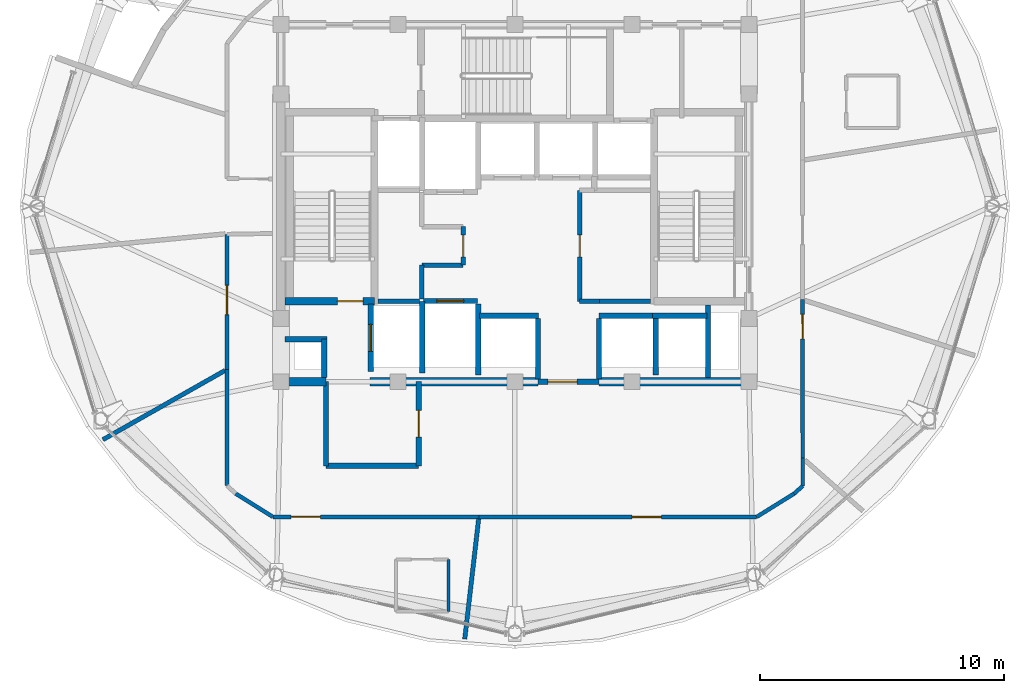
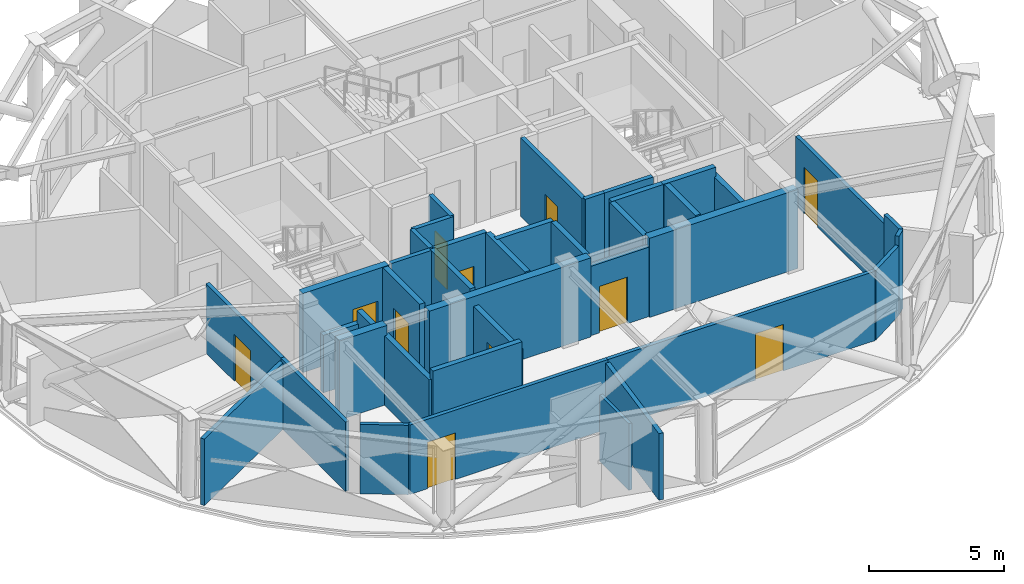
# One storey, part 8 of 15: 40 walls, 11 doors, 11 openings.
"""IFC4 building model written with IfcOpenShell, lengths in metres."""

from ifc_helpers import new_model, si_unit, direction, frame, frame_2d, origin, place, context, subcontext, project, spatial, rectangle, extrude, material, layer, layer_set, type_object, element, fill, save


model = new_model("IFC4")

# Units and contexts
model_context = context("Model", 3, precision=1e-05, world=origin(), true_north=direction((0.0, 1.0)))
body_context = subcontext(model_context, "Body", "Model", "MODEL_VIEW")
ifc_project = project(units=[si_unit("LENGTHUNIT", "METRE"), si_unit("AREAUNIT", "SQUARE_METRE"), si_unit("VOLUMEUNIT", "CUBIC_METRE"), si_unit("PLANEANGLEUNIT", "RADIAN"), si_unit("MASSUNIT", "GRAM", prefix="KILO")], contexts=[model_context])

# Site, building, storey
site_placement = place(None, origin())
site = spatial("IfcSite", under=ifc_project, at=site_placement, CompositionType="ELEMENT")
building_placement = place(site_placement, origin())
building = spatial("IfcBuilding", under=site, at=building_placement, Name="Vantalir Tower", CompositionType="ELEMENT")
storey_placement = place(building_placement, frame((0.0, 0.0, 275.10009765625)))
storey = spatial("IfcBuildingStorey", under=building, at=storey_placement, Name="L69", CompositionType="ELEMENT", Elevation=275.10009765625)

# Walls
ifc_material_1 = material(Name="Moisture-resistant en-suite partition", Category="gypsum")
ifc_layer_1 = layer(ifc_material_1, 0.125)
ifc_layer_set_1 = layer_set([ifc_layer_1], Name="Moisture-resistant en-suite partition")
wall_type_1 = type_object("IfcWallType", Name="WL-BATH-125", PredefinedType="PARTITIONING", material=ifc_layer_set_1)
wall_1_placement = place(storey_placement, frame((28.77587890625, 8.364990234375, 0.0), z_axis=(0.0, 0.0, 1.0), x_axis=(0.0, 1.0, 0.0)))
element("IfcWall", 1, at=wall_1_placement, inside=storey, type_object=wall_type_1, Name="L69 En-suite 06 East Wall", PredefinedType="PARTITIONING", context=body_context, shape_type="SweptSolid", body=[
    extrude(rectangle(XDim=2.14990234375, YDim=0.125, at=frame_2d((1.074951171875, 0.0))), origin(), (0.0, 0.0, 1.0), 3.0029296875),
])
ifc_material_2 = material(Name="Concrete C50/60", Category="concrete")
ifc_layer_2 = layer(ifc_material_2, 0.35009765625)
ifc_layer_set_2 = layer_set([ifc_layer_2], Name="Concrete C50/60")
wall_type_2 = type_object("IfcWallType", Name="WL-CORE-350", PredefinedType="SHEAR", material=ifc_layer_set_2)
wall_2_placement = place(storey_placement, frame((21.72509765625, 17.800048828125, 0.0), z_axis=(0.0, 0.0, 1.0), x_axis=(1.0, 0.0, 0.0)))
element("IfcWall", 2, at=wall_2_placement, inside=storey, type_object=wall_type_2, Name="L69 Core Shear Wall South-West", PredefinedType="SHEAR", context=body_context, shape_type="SweptSolid", body=[
    extrude(rectangle(XDim=2.02490234375, YDim=0.35009765625, at=frame_2d((1.012451171875, 0.0))), origin(), (0.0, 0.0, 1.0), 3.56982421875),
])
wall_3_placement = place(storey_placement, frame((25.550048828125, 17.800048828125, 0.0), z_axis=(0.0, 0.0, 1.0), x_axis=(1.0, 0.0, 0.0)))
element("IfcWall", 3, at=wall_3_placement, inside=storey, type_object=wall_type_2, Name="L69 Core Shear Wall South-Mid", PredefinedType="SHEAR", context=body_context, shape_type="SweptSolid", body=[
    extrude(rectangle(XDim=6.89990234375, YDim=0.35009765625, at=frame_2d((3.449951171875, 0.0))), origin(), (0.0, 0.0, 1.0), 3.56982421875),
])
wall_4_placement = place(storey_placement, frame((34.949951171875, 17.800048828125, 0.0), z_axis=(0.0, 0.0, 1.0), x_axis=(1.0, 0.0, 0.0)))
element("IfcWall", 4, at=wall_4_placement, inside=storey, type_object=wall_type_2, Name="L69 Core Shear Wall South-East", PredefinedType="SHEAR", context=body_context, shape_type="SweptSolid", body=[
    extrude(rectangle(XDim=6.324951171875, YDim=0.35009765625, at=frame_2d((3.16259765625, 0.0))), origin(), (0.0, 0.0, 1.0), 3.56982421875),
])

# Wall, opening, door
ifc_material_3 = material(Name="Fire-rated hotel corridor acoustic partition", Category="gypsum")
ifc_layer_3 = layer(ifc_material_3, 0.159912109375)
ifc_layer_set_3 = layer_set([ifc_layer_3], Name="Fire-rated hotel corridor acoustic partition")
wall_type_3 = type_object("IfcWallType", Name="WL-CORR-160", PredefinedType="PARTITIONING", material=ifc_layer_set_3)
wall_5_placement = place(storey_placement, frame((43.302978515625, 21.16796875, 0.0), z_axis=(0.0, 0.0, 1.0), x_axis=(0.000787903556, -0.999999689604, 0.0)))
wall_5 = element("IfcWall", 5, at=wall_5_placement, inside=storey, type_object=wall_type_3, Name="L69 Corridor Partition 12", PredefinedType="PARTITIONING", context=body_context, shape_type="SweptSolid", body=[
    extrude(rectangle(XDim=6.507080078125, YDim=0.159912109375, at=frame_2d((3.25341796875, 0.0))), origin(), (0.0, 0.0, 1.0), 3.1318359375),
])
opening_1_placement = place(wall_5_placement, frame((0.60498046875, 0.0, 0.0)))
opening_1 = element("IfcOpeningElement", 6, at=opening_1_placement, cuts=wall_5, Name="Opening D-GUEST", PredefinedType="OPENING", context=body_context, shape_type="SweptSolid", body=[
    extrude(rectangle(XDim=1.0, YDim=2.10009765625, at=frame_2d((0.5, 1.050048828125))), frame((0.0, 0.08984375, 0.0), z_axis=(0.0, -1.0, 0.0), x_axis=(1.0, 0.0, 0.0)), (0.0, 0.0, 1.0), 0.179931640625),
])
ifc_material_4 = material(Name="Solid-core teak veneer acoustic fire door", Category="wood")
door_type_1 = type_object("IfcDoorType", Name="DR-GUEST-ENTRY-1000", OperationType="NOTDEFINED", PredefinedType="DOOR", material=ifc_material_4)
door_1_placement = place(opening_1_placement, origin())
door_1 = element("IfcDoor", 7, at=door_1_placement, inside=storey, type_object=door_type_1, Name="L69 Executive Business Study 08 Door", OperationType="SINGLE_SWING_RIGHT", OverallHeight=2.10009765625, OverallWidth=1.0, PredefinedType="DOOR", context=body_context, shape_type="SweptSolid", body=[
    extrude(rectangle(XDim=1.0, YDim=2.10009765625, at=frame_2d((0.5, 1.050048828125))), frame((0.0, 0.02490234375, 0.0), z_axis=(0.0, -1.0, 0.0), x_axis=(1.0, 0.0, 0.0)), (0.0, 0.0, 1.0), 0.050048828125),
])
fill(opening_1, door_1)

# Walls
wall_6_placement = place(storey_placement, frame((43.30810546875, 14.660888671875, 0.0), z_axis=(0.0, 0.0, 1.0), x_axis=(0.000860399768, -0.999999629856, 0.0)))
element("IfcWall", 8, at=wall_6_placement, inside=storey, type_object=wall_type_3, Name="L69 Corridor Partition 13", PredefinedType="PARTITIONING", context=body_context, shape_type="SweptSolid", body=[
    extrude(rectangle(XDim=1.135009765625, YDim=0.159912109375, at=frame_2d((0.5673828125, 0.0))), origin(), (0.0, 0.0, 1.0), 3.5498046875),
])
wall_7_placement = place(storey_placement, frame((43.30908203125, 13.52587890625, 0.0), z_axis=(0.0, 0.0, 1.0), x_axis=(-0.74518739818, -0.666855112894, 0.0)))
element("IfcWall", 9, at=wall_7_placement, inside=storey, type_object=wall_type_3, Name="L69 Corridor Partition 14", PredefinedType="PARTITIONING", context=body_context, shape_type="SweptSolid", body=[
    extrude(rectangle(XDim=0.4736328125, YDim=0.159912109375, at=frame_2d((0.23681640625, 0.0))), origin(), (0.0, 0.0, 1.0), 3.5498046875),
])
wall_8_placement = place(storey_placement, frame((42.9560546875, 13.2099609375, 0.0), z_axis=(0.0, 0.0, 1.0), x_axis=(-0.84908338632, -0.528258840982, 0.0)))
element("IfcWall", 10, at=wall_8_placement, inside=storey, type_object=wall_type_3, Name="L69 Corridor Partition 15", PredefinedType="PARTITIONING", context=body_context, shape_type="SweptSolid", body=[
    extrude(rectangle(XDim=1.817138671875, YDim=0.159912109375, at=frame_2d((0.90869140625, 0.0))), origin(), (0.0, 0.0, 1.0), 3.1318359375),
])

# Wall, opening, door
wall_9_placement = place(storey_placement, frame((41.4130859375, 12.25, 0.0), z_axis=(0.0, 0.0, 1.0), x_axis=(-0.999999941203, 0.000342920808, 0.0)))
wall_9 = element("IfcWall", 11, at=wall_9_placement, inside=storey, type_object=wall_type_3, Name="L69 Corridor Partition 16", PredefinedType="PARTITIONING", context=body_context, shape_type="SweptSolid", body=[
    extrude(rectangle(XDim=11.39111328125, YDim=0.159912109375, at=frame_2d((5.695556640625, 0.0))), origin(), (0.0, 0.0, 1.0), 3.1318359375),
])
opening_2_placement = place(wall_9_placement, frame((3.89892578125, 0.0, 0.0)))
opening_2 = element("IfcOpeningElement", 12, at=opening_2_placement, cuts=wall_9, Name="Opening D-STE", PredefinedType="OPENING", context=body_context, shape_type="SweptSolid", body=[
    extrude(rectangle(XDim=1.199951171875, YDim=2.10009765625, at=frame_2d((0.60009765625, 1.050048828125))), frame((0.0, 0.08984375, 0.0), z_axis=(0.0, -1.0, 0.0), x_axis=(1.0, 0.0, 0.0)), (0.0, 0.0, 1.0), 0.179931640625),
])
ifc_material_5 = material(Name="Solid-core teak veneer suite entrance door", Category="wood")
door_type_2 = type_object("IfcDoorType", Name="DR-SUITE-ENTRY-1200", OperationType="NOTDEFINED", PredefinedType="DOOR", material=ifc_material_5)
door_2_placement = place(opening_2_placement, origin())
door_2 = element("IfcDoor", 13, at=door_2_placement, inside=storey, type_object=door_type_2, Name="L69 Executive Sky Boardroom 07 Door", OperationType="SINGLE_SWING_LEFT", OverallHeight=2.10009765625, OverallWidth=1.199951171875, PredefinedType="DOOR", context=body_context, shape_type="SweptSolid", body=[
    extrude(rectangle(XDim=1.199951171875, YDim=2.10009765625, at=frame_2d((0.60009765625, 1.050048828125))), frame((0.0, 0.02490234375, 0.0), z_axis=(0.0, -1.0, 0.0), x_axis=(1.0, 0.0, 0.0)), (0.0, 0.0, 1.0), 0.050048828125),
])
fill(opening_2, door_2)

wall_10_placement = place(storey_placement, frame((30.02197265625, 12.25390625, 0.0), z_axis=(0.0, 0.0, 1.0), x_axis=(-0.999999966207, 0.000259972838, 0.0)))
wall_10 = element("IfcWall", 14, at=wall_10_placement, inside=storey, type_object=wall_type_3, Name="L69 Corridor Partition 17", PredefinedType="PARTITIONING", context=body_context, shape_type="SweptSolid", body=[
    extrude(rectangle(XDim=8.451904296875, YDim=0.159912109375, at=frame_2d((4.22607421875, 0.0))), origin(), (0.0, 0.0, 1.0), 3.1318359375),
])
opening_3_placement = place(wall_10_placement, frame((6.501953125, 0.0, 0.0)))
opening_3 = element("IfcOpeningElement", 15, at=opening_3_placement, cuts=wall_10, Name="Opening D-STE", PredefinedType="OPENING", context=body_context, shape_type="SweptSolid", body=[
    extrude(rectangle(XDim=1.199951171875, YDim=2.10009765625, at=frame_2d((0.60009765625, 1.050048828125))), frame((0.0, 0.08984375, 0.0), z_axis=(0.0, -1.0, 0.0), x_axis=(1.0, 0.0, 0.0)), (0.0, 0.0, 1.0), 0.179931640625),
])
door_3_placement = place(opening_3_placement, origin())
door_3 = element("IfcDoor", 16, at=door_3_placement, inside=storey, type_object=door_type_2, Name="L69 Executive Club Hotel Suite 06 Door", OperationType="SINGLE_SWING_RIGHT", OverallHeight=2.10009765625, OverallWidth=1.199951171875, PredefinedType="DOOR", context=body_context, shape_type="SweptSolid", body=[
    extrude(rectangle(XDim=1.199951171875, YDim=2.10009765625, at=frame_2d((0.60009765625, 1.050048828125))), frame((0.0, 0.02490234375, 0.0), z_axis=(0.0, -1.0, 0.0), x_axis=(1.0, 0.0, 0.0)), (0.0, 0.0, 1.0), 0.050048828125),
])
fill(opening_3, door_3)

# Walls
wall_11_placement = place(storey_placement, frame((21.570068359375, 12.256103515625, 0.0), z_axis=(0.0, 0.0, 1.0), x_axis=(-0.847990682749, 0.530011133818, 0.0)))
element("IfcWall", 17, at=wall_11_placement, inside=storey, type_object=wall_type_3, Name="L69 Corridor Partition 18", PredefinedType="PARTITIONING", context=body_context, shape_type="SweptSolid", body=[
    extrude(rectangle(XDim=1.7998046875, YDim=0.159912109375, at=frame_2d((0.89990234375, 0.0))), origin(), (0.0, 0.0, 1.0), 3.1318359375),
])
wall_12_placement = place(storey_placement, frame((19.68603515625, 13.5400390625, 0.0), z_axis=(0.0, 0.0, 1.0), x_axis=(-0.000204907531, 0.999999979006, 0.0)))
element("IfcWall", 18, at=wall_12_placement, inside=storey, type_object=wall_type_3, Name="L69 Corridor Partition 20", PredefinedType="PARTITIONING", context=body_context, shape_type="SweptSolid", body=[
    extrude(rectangle(XDim=4.765869140625, YDim=0.159912109375, at=frame_2d((2.3828125, 0.0))), origin(), (0.0, 0.0, 1.0), 3.1318359375),
])

# Wall, opening, door
wall_13_placement = place(storey_placement, frame((19.68505859375, 18.305908203125, 0.0), z_axis=(0.0, 0.0, 1.0), x_axis=(0.0, 1.0, 0.0)))
wall_13 = element("IfcWall", 19, at=wall_13_placement, inside=storey, type_object=wall_type_3, Name="L69 Corridor Partition 21", PredefinedType="PARTITIONING", context=body_context, shape_type="SweptSolid", body=[
    extrude(rectangle(XDim=5.544189453125, YDim=0.159912109375, at=frame_2d((2.77197265625, 0.0))), origin(), (0.0, 0.0, 1.0), 3.1318359375),
])
opening_4_placement = place(wall_13_placement, frame((2.2470703125, 0.0, 0.0)))
opening_4 = element("IfcOpeningElement", 20, at=opening_4_placement, cuts=wall_13, Name="Opening D-STE", PredefinedType="OPENING", context=body_context, shape_type="SweptSolid", body=[
    extrude(rectangle(XDim=1.199951171875, YDim=2.10009765625, at=frame_2d((0.60009765625, 1.050048828125))), frame((0.0, 0.08984375, 0.0), z_axis=(0.0, -1.0, 0.0), x_axis=(1.0, 0.0, 0.0)), (0.0, 0.0, 1.0), 0.179931640625),
])
door_4_placement = place(opening_4_placement, origin())
door_4 = element("IfcDoor", 21, at=door_4_placement, inside=storey, type_object=door_type_2, Name="L69 Executive Sky Boardroom 05 Door", OperationType="SINGLE_SWING_LEFT", OverallHeight=2.10009765625, OverallWidth=1.199951171875, PredefinedType="DOOR", context=body_context, shape_type="SweptSolid", body=[
    extrude(rectangle(XDim=1.199951171875, YDim=2.10009765625, at=frame_2d((0.60009765625, 1.050048828125))), frame((0.0, 0.02490234375, 0.0), z_axis=(0.0, -1.0, 0.0), x_axis=(1.0, 0.0, 0.0)), (0.0, 0.0, 1.0), 0.050048828125),
])
fill(opening_4, door_4)

# Walls
ifc_material_6 = material(Name="Concrete blockwork with fireboard lining", Category="masonry")
ifc_layer_4 = layer(ifc_material_6, 0.219970703125)
ifc_layer_set_4 = layer_set([ifc_layer_4], Name="Concrete blockwork with fireboard lining")
wall_type_4 = type_object("IfcWallType", Name="WL-FFL-220", PredefinedType="PARTITIONING", material=ifc_layer_set_4)
wall_14_placement = place(storey_placement, frame((30.0, 18.080078125, 0.0), z_axis=(0.0, 0.0, 1.0), x_axis=(0.0, 1.0, 0.0)))
element("IfcWall", 22, at=wall_14_placement, inside=storey, type_object=wall_type_4, Name="L69 Service Lift SV1 East Shaft Wall", PredefinedType="PARTITIONING", context=body_context, shape_type="SweptSolid", body=[
    extrude(rectangle(XDim=2.89990234375, YDim=0.219970703125, at=frame_2d((1.449951171875, 0.0))), origin(), (0.0, 0.0, 1.0), 3.544921875),
])
for number, where, z_axis, x_axis, name in (
    (23, (32.449951171875, 17.919921875, 0.0), (0.0, 0.0, 1.0), (0.0, 1.0, 0.0), "L69 Shuttle Lift PL-X1 East Shaft Cheek"),
    (24, (34.949951171875, 17.919921875, 0.0), (0.0, 0.0, 1.0), (0.0, 1.0, 0.0), "L69 Shuttle Lift PL-X3 West Shaft Cheek"),
):
    element("IfcWall", number, at=place(storey_placement, frame(where, z_axis=z_axis, x_axis=x_axis)), inside=storey, type_object=wall_type_4, Name=name, PredefinedType="PARTITIONING", context=body_context, shape_type="SweptSolid", body=[
        extrude(rectangle(XDim=2.469970703125, YDim=0.219970703125, at=frame_2d((1.23486328125, 0.0))), origin(), (0.0, 0.0, 1.0), 3.544921875),
    ])
wall_15_placement = place(storey_placement, frame((37.27490234375, 18.080078125, 0.0), z_axis=(0.0, 0.0, 1.0), x_axis=(0.0, 1.0, 0.0)))
element("IfcWall", 25, at=wall_15_placement, inside=storey, type_object=wall_type_4, Name="L69 Shuttle Lift PL-X2/X3 Shaft Divider", PredefinedType="PARTITIONING", context=body_context, shape_type="SweptSolid", body=[
    extrude(rectangle(XDim=2.309814453125, YDim=0.219970703125, at=frame_2d((1.15478515625, 0.0))), origin(), (0.0, 0.0, 1.0), 3.544921875),
])

# Wall, opening, door
wall_16_placement = place(storey_placement, frame((32.449951171875, 17.800048828125, 0.0), z_axis=(0.0, 0.0, 1.0), x_axis=(1.0, 0.0, 0.0)))
wall_16 = element("IfcWall", 26, at=wall_16_placement, inside=storey, type_object=wall_type_4, Name="L69 Passenger Lift Lobby South Wall", PredefinedType="PARTITIONING", context=body_context, shape_type="SweptSolid", body=[
    extrude(rectangle(XDim=2.5, YDim=0.219970703125, at=frame_2d((1.25, 0.0))), origin(), (0.0, 0.0, 1.0), 3.1318359375),
])
opening_5_placement = place(wall_16_placement, frame((0.39990234375, 0.0, 0.0)))
opening_5 = element("IfcOpeningElement", 27, at=opening_5_placement, cuts=wall_16, Name="Opening D-STE", PredefinedType="OPENING", context=body_context, shape_type="SweptSolid", body=[
    extrude(rectangle(XDim=1.199951171875, YDim=2.10009765625, at=frame_2d((0.60009765625, 1.050048828125))), frame((0.0, 0.119873046875, 0.0), z_axis=(0.0, -1.0, 0.0), x_axis=(1.0, 0.0, 0.0)), (0.0, 0.0, 1.0), 0.239990234375),
])
door_5_placement = place(opening_5_placement, origin())
door_5 = element("IfcDoor", 28, at=door_5_placement, inside=storey, type_object=door_type_2, Name="L69 Passenger Lift Lobby Concourse Door", OperationType="SINGLE_SWING_RIGHT", OverallHeight=2.10009765625, OverallWidth=1.199951171875, PredefinedType="DOOR", context=body_context, shape_type="SweptSolid", body=[
    extrude(rectangle(XDim=1.199951171875, YDim=2.10009765625, at=frame_2d((0.60009765625, 1.050048828125))), frame((0.0, 0.02490234375, 0.0), z_axis=(0.0, -1.0, 0.0), x_axis=(1.0, 0.0, 0.0)), (0.0, 0.0, 1.0), 0.050048828125),
])
fill(opening_5, door_5)

# Walls
wall_17_placement = place(storey_placement, frame((23.679931640625, 17.97509765625, 0.0), z_axis=(0.0, 0.0, 1.0), x_axis=(0.0, 1.0, 0.0)))
element("IfcWall", 29, at=wall_17_placement, inside=storey, type_object=wall_type_4, Name="L69 West MEP Riser Wall E", PredefinedType="PARTITIONING", context=body_context, shape_type="SweptSolid", body=[
    extrude(rectangle(XDim=1.574951171875, YDim=0.219970703125, at=frame_2d((0.78759765625, 0.0))), origin(), (0.0, 0.0, 1.0), 3.1318359375),
])
wall_18_placement = place(storey_placement, frame((22.074951171875, 19.550048828125, 0.0), z_axis=(0.0, 0.0, 1.0), x_axis=(1.0, 0.0, 0.0)))
element("IfcWall", 30, at=wall_18_placement, inside=storey, type_object=wall_type_4, Name="L69 West MEP Riser Wall N", PredefinedType="PARTITIONING", context=body_context, shape_type="SweptSolid", body=[
    extrude(rectangle(XDim=1.715087890625, YDim=0.219970703125, at=frame_2d((0.857421875, 0.0))), origin(), (0.0, 0.0, 1.0), 2.594970703125),
])
wall_19_placement = place(storey_placement, frame((39.419921875, 17.97509765625, 0.0), z_axis=(0.0, 0.0, 1.0), x_axis=(0.0, 1.0, 0.0)))
element("IfcWall", 31, at=wall_19_placement, inside=storey, type_object=wall_type_4, Name="L69 East MEP Riser Wall W", PredefinedType="PARTITIONING", context=body_context, shape_type="SweptSolid", body=[
    extrude(rectangle(XDim=2.974853515625, YDim=0.219970703125, at=frame_2d((1.4873046875, 0.0))), origin(), (0.0, 0.0, 1.0), 3.1318359375),
])

# Wall, opening, door
wall_20_placement = place(storey_placement, frame((25.590087890625, 18.219970703125, 0.0), z_axis=(0.0, 0.0, 1.0), x_axis=(0.0, 1.0, 0.0)))
wall_20 = element("IfcWall", 32, at=wall_20_placement, inside=storey, type_object=wall_type_4, Name="L69 Lift FL1 Shaft Front Wall", PredefinedType="PARTITIONING", context=body_context, shape_type="SweptSolid", body=[
    extrude(rectangle(XDim=2.760009765625, YDim=0.219970703125, at=frame_2d((1.3798828125, 0.0))), origin(), (0.0, 0.0, 1.0), 3.5498046875),
])
opening_6_placement = place(wall_20_placement, frame((0.830078125, 0.0, 0.0)))
opening_6 = element("IfcOpeningElement", 33, at=opening_6_placement, cuts=wall_20, Name="Opening LD-FL1", PredefinedType="OPENING", context=body_context, shape_type="SweptSolid", body=[
    extrude(rectangle(XDim=1.10009765625, YDim=2.199951171875, at=frame_2d((0.550048828125, 1.10009765625))), frame((0.0, 0.119873046875, 0.0), z_axis=(0.0, -1.0, 0.0), x_axis=(1.0, 0.0, 0.0)), (0.0, 0.0, 1.0), 0.239990234375),
])
ifc_material_7 = material(Name="Brushed stainless-steel sliding lift landing door", Category="steel")
door_type_3 = type_object("IfcDoorType", Name="DR-LIFT-LANDING-1100", OperationType="DOUBLE_DOOR_SLIDING", PredefinedType="DOOR", material=ifc_material_7)
door_6_placement = place(opening_6_placement, origin())
door_6 = element("IfcDoor", 34, at=door_6_placement, inside=storey, type_object=door_type_3, Name="L69 Lift Landing Door FL1", OperationType="DOUBLE_DOOR_SLIDING", OverallHeight=2.199951171875, OverallWidth=1.10009765625, PredefinedType="DOOR", context=body_context, shape_type="SweptSolid", body=[
    extrude(rectangle(XDim=1.10009765625, YDim=2.199951171875, at=frame_2d((0.550048828125, 1.10009765625))), frame((0.0, 0.02490234375, 0.0), z_axis=(0.0, -1.0, 0.0), x_axis=(1.0, 0.0, 0.0)), (0.0, 0.0, 1.0), 0.050048828125),
])
fill(opening_6, door_6)

wall_21_placement = place(storey_placement, frame((27.739990234375, 21.110107421875, 0.0), z_axis=(0.0, 0.0, 1.0), x_axis=(1.0, 0.0, 0.0)))
wall_21 = element("IfcWall", 35, at=wall_21_placement, inside=storey, type_object=wall_type_4, Name="L69 Lift SV1 Shaft Front Wall", PredefinedType="PARTITIONING", context=body_context, shape_type="SweptSolid", body=[
    extrude(rectangle(XDim=2.219970703125, YDim=0.219970703125, at=frame_2d((1.10986328125, 0.0))), origin(), (0.0, 0.0, 1.0), 3.5498046875),
])
opening_7_placement = place(wall_21_placement, frame((0.56005859375, 0.0, 0.0)))
opening_7 = element("IfcOpeningElement", 36, at=opening_7_placement, cuts=wall_21, Name="Opening LD-SV1", PredefinedType="OPENING", context=body_context, shape_type="SweptSolid", body=[
    extrude(rectangle(XDim=1.10009765625, YDim=2.199951171875, at=frame_2d((0.550048828125, 1.10009765625))), frame((0.0, 0.119873046875, 0.0), z_axis=(0.0, -1.0, 0.0), x_axis=(1.0, 0.0, 0.0)), (0.0, 0.0, 1.0), 0.239990234375),
])
door_7_placement = place(opening_7_placement, origin())
door_7 = element("IfcDoor", 37, at=door_7_placement, inside=storey, type_object=door_type_3, Name="L69 Lift Landing Door SV1", OperationType="DOUBLE_DOOR_SLIDING", OverallHeight=2.199951171875, OverallWidth=1.10009765625, PredefinedType="DOOR", context=body_context, shape_type="SweptSolid", body=[
    extrude(rectangle(XDim=1.10009765625, YDim=2.199951171875, at=frame_2d((0.550048828125, 1.10009765625))), frame((0.0, 0.02490234375, 0.0), z_axis=(0.0, -1.0, 0.0), x_axis=(1.0, 0.0, 0.0)), (0.0, 0.0, 1.0), 0.050048828125),
])
fill(opening_7, door_7)

# Walls
wall_22_placement = place(storey_placement, frame((30.0400390625, 20.510009765625, 0.0), z_axis=(0.0, 0.0, 1.0), x_axis=(1.0, 0.0, 0.0)))
element("IfcWall", 38, at=wall_22_placement, inside=storey, type_object=wall_type_4, Name="L69 Lift PL-X1 Shaft Front Wall", PredefinedType="PARTITIONING", context=body_context, shape_type="SweptSolid", body=[
    extrude(rectangle(XDim=2.419921875, YDim=0.219970703125, at=frame_2d((1.2099609375, 0.0))), origin(), (0.0, 0.0, 1.0), 3.5498046875),
])
for number, where, z_axis, x_axis, name in (
    (39, (37.139892578125, 20.510009765625, 0.0), (0.0, 0.0, 1.0), (1.0, 0.0, 0.0), "L69 Lift PL-X2 Shaft Rear Wall"),
    (40, (34.93994140625, 20.510009765625, 0.0), (0.0, 0.0, 1.0), (1.0, 0.0, 0.0), "L69 Lift PL-X3 Shaft Front Wall"),
):
    element("IfcWall", number, at=place(storey_placement, frame(where, z_axis=z_axis, x_axis=x_axis)), inside=storey, type_object=wall_type_4, Name=name, PredefinedType="PARTITIONING", context=body_context, shape_type="SweptSolid", body=[
        extrude(rectangle(XDim=2.239990234375, YDim=0.219970703125, at=frame_2d((1.1201171875, 0.0))), origin(), (0.0, 0.0, 1.0), 3.5498046875),
    ])
wall_23_placement = place(storey_placement, frame((27.699951171875, 18.14990234375, 0.0), z_axis=(0.0, 0.0, 1.0), x_axis=(0.0, 1.0, 0.0)))
element("IfcWall", 41, at=wall_23_placement, inside=storey, type_object=wall_type_4, Name="L69 Fire Lift FL1 Dividing Wall", PredefinedType="PARTITIONING", context=body_context, shape_type="SweptSolid", body=[
    extrude(rectangle(XDim=2.9501953125, YDim=0.219970703125, at=frame_2d((1.47509765625, 0.0))), origin(), (0.0, 0.0, 1.0), 3.5498046875),
])
wall_24_placement = place(storey_placement, frame((23.75, 14.35009765625, 0.0), z_axis=(0.0, 0.0, 1.0), x_axis=(0.0, 1.0, 0.0)))
element("IfcWall", 42, at=wall_24_placement, inside=storey, type_object=wall_type_4, Name="L69 Firefighting Lobby West Outer W", PredefinedType="PARTITIONING", context=body_context, shape_type="SweptSolid", body=[
    extrude(rectangle(XDim=3.449951171875, YDim=0.219970703125, at=frame_2d((1.72509765625, 0.0))), origin(), (0.0, 0.0, 1.0), 3.1318359375),
])
wall_25_placement = place(storey_placement, frame((23.75, 14.35009765625, 0.0), z_axis=(0.0, 0.0, 1.0), x_axis=(1.0, 0.0, 0.0)))
element("IfcWall", 43, at=wall_25_placement, inside=storey, type_object=wall_type_4, Name="L69 Firefighting Lobby West South Wall", PredefinedType="PARTITIONING", context=body_context, shape_type="SweptSolid", body=[
    extrude(rectangle(XDim=3.800048828125, YDim=0.219970703125, at=frame_2d((1.89990234375, 0.0))), origin(), (0.0, 0.0, 1.0), 3.5498046875),
])

# Wall, opening, door
wall_26_placement = place(storey_placement, frame((27.550048828125, 14.35009765625, 0.0), z_axis=(0.0, 0.0, 1.0), x_axis=(0.0, 1.0, 0.0)))
wall_26 = element("IfcWall", 44, at=wall_26_placement, inside=storey, type_object=wall_type_4, Name="L69 Firefighting Lobby West East Wall", PredefinedType="PARTITIONING", context=body_context, shape_type="SweptSolid", body=[
    extrude(rectangle(XDim=3.449951171875, YDim=0.219970703125, at=frame_2d((1.72509765625, 0.0))), origin(), (0.0, 0.0, 1.0), 3.1318359375),
])
opening_8_placement = place(wall_26_placement, frame((1.175048828125, 0.0, 0.0)))
opening_8 = element("IfcOpeningElement", 45, at=opening_8_placement, cuts=wall_26, Name="Opening D-FFL", PredefinedType="OPENING", context=body_context, shape_type="SweptSolid", body=[
    extrude(rectangle(XDim=1.10009765625, YDim=2.10009765625, at=frame_2d((0.550048828125, 1.050048828125))), frame((0.0, 0.119873046875, 0.0), z_axis=(0.0, -1.0, 0.0), x_axis=(1.0, 0.0, 0.0)), (0.0, 0.0, 1.0), 0.239990234375),
])
ifc_material_8 = material(Name="Fire-rated acoustic steel door", Category="steel")
door_type_4 = type_object("IfcDoorType", Name="DR-FIRE-LOBBY-1100", OperationType="NOTDEFINED", PredefinedType="DOOR", material=ifc_material_8)
door_8_placement = place(opening_8_placement, origin())
door_8 = element("IfcDoor", 46, at=door_8_placement, inside=storey, type_object=door_type_4, Name="L69 Firefighting Lobby West Access Door", OperationType="SINGLE_SWING_RIGHT", OverallHeight=2.10009765625, OverallWidth=1.10009765625, PredefinedType="DOOR", context=body_context, shape_type="SweptSolid", body=[
    extrude(rectangle(XDim=1.10009765625, YDim=2.10009765625, at=frame_2d((0.550048828125, 1.050048828125))), frame((0.0, 0.02490234375, 0.0), z_axis=(0.0, -1.0, 0.0), x_axis=(1.0, 0.0, 0.0)), (0.0, 0.0, 1.0), 0.050048828125),
])
fill(opening_8, door_8)

# Walls
ifc_material_9 = material(Name="Twin-stud acoustic fire-rated gypsum partition", Category="gypsum")
ifc_layer_5 = layer(ifc_material_9, 0.179931640625)
ifc_layer_set_5 = layer_set([ifc_layer_5], Name="Twin-stud acoustic fire-rated gypsum partition")
wall_type_5 = type_object("IfcWallType", Name="WL-GUEST-180", PredefinedType="PARTITIONING", material=ifc_layer_set_5)
wall_27_placement = place(storey_placement, frame((25.889892578125, 21.10009765625, 0.0), z_axis=(0.0, 0.0, 1.0), x_axis=(1.0, 0.0, 0.0)))
element("IfcWall", 47, at=wall_27_placement, inside=storey, type_object=wall_type_5, Name="L69 Freed West Core South Wall", PredefinedType="PARTITIONING", context=body_context, shape_type="SweptSolid", body=[
    extrude(rectangle(XDim=1.7001953125, YDim=0.179931640625, at=frame_2d((0.85009765625, 0.0))), origin(), (0.0, 0.0, 1.0), 3.5498046875),
])
wall_28_placement = place(storey_placement, frame((27.679931640625, 21.18994140625, 0.0), z_axis=(0.0, 0.0, 1.0), x_axis=(0.0, 1.0, 0.0)))
element("IfcWall", 48, at=wall_28_placement, inside=storey, type_object=wall_type_5, Name="L69 West IT Room Lower East Wall", PredefinedType="PARTITIONING", context=body_context, shape_type="SweptSolid", body=[
    extrude(rectangle(XDim=1.39013671875, YDim=0.179931640625, at=frame_2d((0.695068359375, 0.0))), origin(), (0.0, 0.0, 1.0), 3.5498046875),
])
wall_29_placement = place(storey_placement, frame((27.679931640625, 22.580078125, 0.0), z_axis=(0.0, 0.0, 1.0), x_axis=(1.0, 0.0, 0.0)))
element("IfcWall", 49, at=wall_29_placement, inside=storey, type_object=wall_type_5, Name="L69 West IT Room Alcove South Wall", PredefinedType="PARTITIONING", context=body_context, shape_type="SweptSolid", body=[
    extrude(rectangle(XDim=1.699951171875, YDim=0.179931640625, at=frame_2d((0.85009765625, 0.0))), origin(), (0.0, 0.0, 1.0), 3.5498046875),
])

# Wall, opening, door
wall_30_placement = place(storey_placement, frame((29.3798828125, 22.580078125, 0.0), z_axis=(0.0, 0.0, 1.0), x_axis=(0.0, 1.0, 0.0)))
wall_30 = element("IfcWall", 50, at=wall_30_placement, inside=storey, type_object=wall_type_5, Name="L69 West IT Room Alcove East Wall", PredefinedType="PARTITIONING", context=body_context, shape_type="SweptSolid", body=[
    extrude(rectangle(XDim=1.579833984375, YDim=0.179931640625, at=frame_2d((0.7900390625, 0.0))), origin(), (0.0, 0.0, 1.0), 3.5498046875),
])
opening_9_placement = place(wall_30_placement, frame((0.340087890625, 0.0, 0.0)))
opening_9 = element("IfcOpeningElement", 51, at=opening_9_placement, cuts=wall_30, Name="Opening D-CR", PredefinedType="OPENING", context=body_context, shape_type="SweptSolid", body=[
    extrude(rectangle(XDim=0.89990234375, YDim=2.10009765625, at=frame_2d((0.449951171875, 1.050048828125))), frame((0.0, 0.099853515625, 0.0), z_axis=(0.0, -1.0, 0.0), x_axis=(1.0, 0.0, 0.0)), (0.0, 0.0, 1.0), 0.199951171875),
])
ifc_material_10 = material(Name="Fire-rated steel core service door", Category="steel")
door_type_5 = type_object("IfcDoorType", Name="DR-CORE-SERV-900", OperationType="NOTDEFINED", PredefinedType="DOOR", material=ifc_material_10)
door_9_placement = place(opening_9_placement, origin())
door_9 = element("IfcDoor", 52, at=door_9_placement, inside=storey, type_object=door_type_5, Name="L69 Core IT Comms Door", OperationType="SINGLE_SWING_RIGHT", OverallHeight=2.10009765625, OverallWidth=0.89990234375, PredefinedType="DOOR", context=body_context, shape_type="SweptSolid", body=[
    extrude(rectangle(XDim=0.89990234375, YDim=2.10009765625, at=frame_2d((0.449951171875, 1.050048828125))), frame((0.0, 0.02490234375, 0.0), z_axis=(0.0, -1.0, 0.0), x_axis=(1.0, 0.0, 0.0)), (0.0, 0.0, 1.0), 0.050048828125),
])
fill(opening_9, door_9)

# Walls
wall_31_placement = place(storey_placement, frame((34.97998046875, 21.10009765625, 0.0), z_axis=(0.0, 0.0, 1.0), x_axis=(1.0, 0.0, 0.0)))
element("IfcWall", 53, at=wall_31_placement, inside=storey, type_object=wall_type_5, Name="L69 Freed East Core South Wall", PredefinedType="PARTITIONING", context=body_context, shape_type="SweptSolid", body=[
    extrude(rectangle(XDim=2.080078125, YDim=0.179931640625, at=frame_2d((1.0400390625, 0.0))), origin(), (0.0, 0.0, 1.0), 3.5498046875),
])
wall_32_placement = place(storey_placement, frame((34.159912109375, 21.10009765625, 0.0), z_axis=(0.0, 0.0, 1.0), x_axis=(1.0, 0.0, 0.0)))
element("IfcWall", 54, at=wall_32_placement, inside=storey, type_object=wall_type_5, Name="L69 East IT Room South Return", PredefinedType="PARTITIONING", context=body_context, shape_type="SweptSolid", body=[
    extrude(rectangle(XDim=0.820068359375, YDim=0.179931640625, at=frame_2d((0.41015625, 0.0))), origin(), (0.0, 0.0, 1.0), 3.5498046875),
])

# Wall, opening, door
wall_33_placement = place(storey_placement, frame((34.159912109375, 21.10009765625, 0.0), z_axis=(0.0, 0.0, 1.0), x_axis=(0.0, 1.0, 0.0)))
wall_33 = element("IfcWall", 55, at=wall_33_placement, inside=storey, type_object=wall_type_5, Name="L69 East IT Room West Wall", PredefinedType="PARTITIONING", context=body_context, shape_type="SweptSolid", body=[
    extrude(rectangle(XDim=4.5498046875, YDim=0.179931640625, at=frame_2d((2.27490234375, 0.0))), origin(), (0.0, 0.0, 1.0), 3.5498046875),
])
opening_10_placement = place(wall_33_placement, frame((1.824951171875, 0.0, 0.0)))
opening_10 = element("IfcOpeningElement", 56, at=opening_10_placement, cuts=wall_33, Name="Opening D-CR", PredefinedType="OPENING", context=body_context, shape_type="SweptSolid", body=[
    extrude(rectangle(XDim=0.89990234375, YDim=2.10009765625, at=frame_2d((0.449951171875, 1.050048828125))), frame((0.0, 0.099853515625, 0.0), z_axis=(0.0, -1.0, 0.0), x_axis=(1.0, 0.0, 0.0)), (0.0, 0.0, 1.0), 0.199951171875),
])
door_10_placement = place(opening_10_placement, frame((0.89990234375, 0.0, 0.0), z_axis=(0.0, 0.0, 1.0), x_axis=(-1.0, 0.0, 0.0)))
door_10 = element("IfcDoor", 57, at=door_10_placement, inside=storey, type_object=door_type_5, Name="L69 Core Data Switchroom Door", OperationType="SINGLE_SWING_RIGHT", OverallHeight=2.10009765625, OverallWidth=0.89990234375, PredefinedType="DOOR", context=body_context, shape_type="SweptSolid", body=[
    extrude(rectangle(XDim=0.89990234375, YDim=2.10009765625, at=frame_2d((0.449951171875, 1.050048828125))), frame((0.0, 0.02490234375, 0.0), z_axis=(0.0, -1.0, 0.0), x_axis=(1.0, 0.0, 0.0)), (0.0, 0.0, 1.0), 0.050048828125),
])
fill(opening_10, door_10)

# Walls
wall_34_placement = place(storey_placement, frame((19.610107421875, 18.262939453125, 0.0), z_axis=(0.0, 0.0, 1.0), x_axis=(-0.870093666081, -0.49288640907, 0.0)))
element("IfcWall", 58, at=wall_34_placement, inside=storey, type_object=wall_type_5, Name="L69 Radial Suite Partition 06", PredefinedType="PARTITIONING", context=body_context, shape_type="SweptSolid", body=[
    extrude(rectangle(XDim=5.76171875, YDim=0.179931640625, at=frame_2d((2.880859375, 0.0))), origin(), (0.0, 0.0, 1.0), 3.0029296875),
])
wall_35_placement = place(storey_placement, frame((30.012939453125, 12.175048828125, 0.0), z_axis=(0.0, 0.0, 1.0), x_axis=(-0.115012303398, -0.993364067232, 0.0)))
element("IfcWall", 59, at=wall_35_placement, inside=storey, type_object=wall_type_5, Name="L69 Radial Suite Partition 07", PredefinedType="PARTITIONING", context=body_context, shape_type="SweptSolid", body=[
    extrude(rectangle(XDim=4.965087890625, YDim=0.179931640625, at=frame_2d((2.482421875, 0.0))), origin(), (0.0, 0.0, 1.0), 3.0029296875),
])

# Wall, opening, door
ifc_layer_6 = layer(ifc_material_2, 0.300048828125)
ifc_layer_set_6 = layer_set([ifc_layer_6], Name="Concrete C50/60")
wall_type_6 = type_object("IfcWallType", Name="WL-STAIR-300", PredefinedType="SHEAR", material=ifc_layer_set_6)
wall_36_placement = place(storey_placement, frame((22.074951171875, 21.10009765625, 0.0), z_axis=(0.0, 0.0, 1.0), x_axis=(1.0, 0.0, 0.0)))
wall_36 = element("IfcWall", 60, at=wall_36_placement, inside=storey, type_object=wall_type_6, Name="L69 Stair ST1 South Wall", PredefinedType="SHEAR", context=body_context, shape_type="SweptSolid", body=[
    extrude(rectangle(XDim=3.6650390625, YDim=0.300048828125, at=frame_2d((1.83251953125, 0.0))), origin(), (0.0, 0.0, 1.0), 3.56982421875),
])
opening_11_placement = place(wall_36_placement, frame((2.14501953125, 0.0, 0.0)))
opening_11 = element("IfcOpeningElement", 61, at=opening_11_placement, cuts=wall_36, Name="Opening D-ST", PredefinedType="OPENING", context=body_context, shape_type="SweptSolid", body=[
    extrude(rectangle(XDim=1.050048828125, YDim=2.10009765625, at=frame_2d((0.52490234375, 1.050048828125))), frame((0.0, 0.159912109375, 0.0), z_axis=(0.0, -1.0, 0.0), x_axis=(1.0, 0.0, 0.0)), (0.0, 0.0, 1.0), 0.320068359375),
])
ifc_material_11 = material(Name="Fire-rated steel door leaf", Category="steel")
door_type_6 = type_object("IfcDoorType", Name="DR-FIRE-STAIR-1050", OperationType="NOTDEFINED", PredefinedType="DOOR", material=ifc_material_11)
door_11_placement = place(opening_11_placement, origin())
door_11 = element("IfcDoor", 62, at=door_11_placement, inside=storey, type_object=door_type_6, Name="L69 Exit Stair ST1 Fire Door", OperationType="SINGLE_SWING_RIGHT", OverallHeight=2.10009765625, OverallWidth=1.050048828125, PredefinedType="DOOR", context=body_context, shape_type="SweptSolid", body=[
    extrude(rectangle(XDim=1.050048828125, YDim=2.10009765625, at=frame_2d((0.52490234375, 1.050048828125))), frame((0.0, 0.02490234375, 0.0), z_axis=(0.0, -1.0, 0.0), x_axis=(1.0, 0.0, 0.0)), (0.0, 0.0, 1.0), 0.050048828125),
])
fill(opening_11, door_11)

save(model, "model.ifc")
